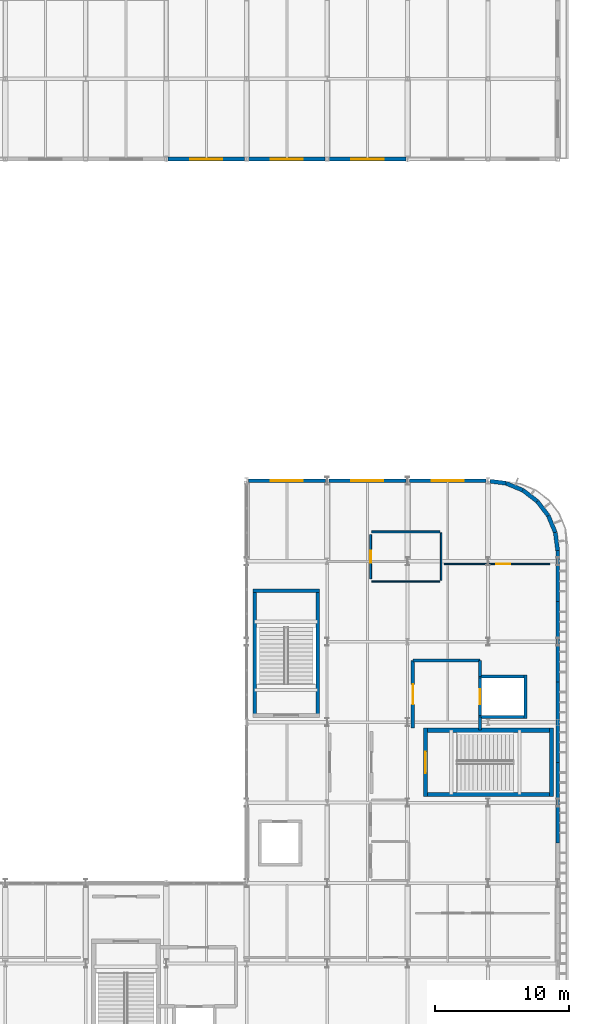
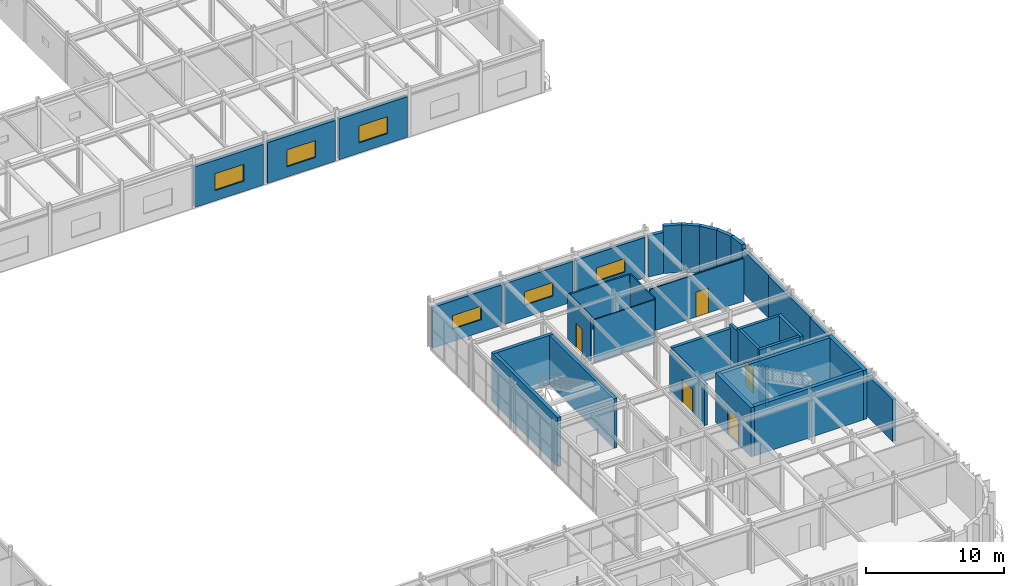
# One storey, part 71 of 96: 36 walls, 6 windows, 5 doors, 11 openings.
"""IFC4 building model written with IfcOpenShell, lengths in metres."""

from ifc_helpers import new_model, si_unit, direction, frame, frame_2d, origin, place, context, subcontext, project, spatial, rectangle, extrude, material, layer, layer_set, type_object, element, fill, save


model = new_model("IFC4")

# Units and contexts
model_context = context("Model", 3, precision=1e-05, world=origin(), true_north=direction((0.0, 1.0)))
body_context = subcontext(model_context, "Body", "Model", "MODEL_VIEW")
ifc_project = project(units=[si_unit("LENGTHUNIT", "METRE"), si_unit("AREAUNIT", "SQUARE_METRE"), si_unit("VOLUMEUNIT", "CUBIC_METRE"), si_unit("PLANEANGLEUNIT", "RADIAN"), si_unit("MASSUNIT", "GRAM", prefix="KILO")], contexts=[model_context])

# Site, building, storey
site_placement = place(None, origin())
site = spatial("IfcSite", under=ifc_project, at=site_placement, CompositionType="ELEMENT")
building_placement = place(site_placement, origin())
building = spatial("IfcBuilding", under=site, at=building_placement, Name="Varnakota Square Police Headquarters", CompositionType="ELEMENT")
storey_placement = place(building_placement, frame((0.0, 0.0, 4.800048828125)))
storey = spatial("IfcBuildingStorey", under=building, at=storey_placement, Name="L01", CompositionType="ELEMENT", Elevation=4.800048828125)

# Walls
ifc_material_1 = material(Name="Concrete M40", Category="concrete")
ifc_layer_1 = layer(ifc_material_1, 0.22998046875, Name="Concrete M40")
ifc_layer_set_1 = layer_set([ifc_layer_1], Name="Concrete M40")
wall_type_1 = type_object("IfcWallType", Name="WL-CORE-230", PredefinedType="SHEAR", material=ifc_layer_set_1)
wall_1_placement = place(storey_placement, frame((155.284912109375, 27.39990234375, 0.0), z_axis=(0.0, 0.0, 1.0), x_axis=(1.0, 0.0, 0.0)))
element("IfcWall", 1, at=wall_1_placement, inside=storey, type_object=wall_type_1, Name="Lift shaft wall LF-FF2 L01 S", PredefinedType="SHEAR", context=body_context, shape_type="SweptSolid", body=[
    extrude(rectangle(XDim=3.630126953125, YDim=0.22998046875, at=frame_2d((1.81494140625, 0.0))), origin(), (0.0, 0.0, 1.0), 4.5),
])
wall_2_placement = place(storey_placement, frame((158.800048828125, 27.284912109375, 0.0), z_axis=(0.0, 0.0, 1.0), x_axis=(0.0, 1.0, 0.0)))
element("IfcWall", 2, at=wall_2_placement, inside=storey, type_object=wall_type_1, Name="Lift shaft wall LF-FF2 L01 E", PredefinedType="SHEAR", context=body_context, shape_type="SweptSolid", body=[
    extrude(rectangle(XDim=3.22998046875, YDim=0.22998046875, at=frame_2d((1.614990234375, 0.0))), origin(), (0.0, 0.0, 1.0), 4.5),
])
wall_3_placement = place(storey_placement, frame((158.9150390625, 30.39990234375, 0.0), z_axis=(0.0, 0.0, 1.0), x_axis=(-1.0, 0.0, 0.0)))
element("IfcWall", 3, at=wall_3_placement, inside=storey, type_object=wall_type_1, Name="Lift shaft wall LF-FF2 L01 N", PredefinedType="SHEAR", context=body_context, shape_type="SweptSolid", body=[
    extrude(rectangle(XDim=3.630126953125, YDim=0.22998046875, at=frame_2d((1.81494140625, 0.0))), origin(), (0.0, 0.0, 1.0), 4.5),
])

# Wall, opening, door
wall_4_placement = place(storey_placement, frame((155.39990234375, 30.514892578125, 0.0), z_axis=(0.0, 0.0, 1.0), x_axis=(0.0, -1.0, 0.0)))
wall_4 = element("IfcWall", 4, at=wall_4_placement, inside=storey, type_object=wall_type_1, Name="Lift shaft wall LF-FF2 L01 W", PredefinedType="SHEAR", context=body_context, shape_type="SweptSolid", body=[
    extrude(rectangle(XDim=3.22998046875, YDim=0.22998046875, at=frame_2d((1.614990234375, 0.0))), origin(), (0.0, 0.0, 1.0), 4.5),
])
opening_1_placement = place(wall_4_placement, frame((1.06494140625, 0.0, 0.0)))
opening_1 = element("IfcOpeningElement", 5, at=opening_1_placement, cuts=wall_4, Name="Opening LD010", PredefinedType="OPENING", context=body_context, shape_type="SweptSolid", body=[
    extrude(rectangle(XDim=1.10009765625, YDim=2.199951171875, at=frame_2d((0.550048828125, 1.10009765625))), frame((0.0, 0.125, 0.0), z_axis=(0.0, -1.0, 0.0), x_axis=(1.0, 0.0, 0.0)), (0.0, 0.0, 1.0), 0.25),
])
ifc_material_2 = material(Name="Brushed Grade 316 Stainless Steel", Category="steel")
door_type_1 = type_object("IfcDoorType", Name="DR-LD-FF", OperationType="NOTDEFINED", PredefinedType="DOOR", material=ifc_material_2)
door_1_placement = place(opening_1_placement, origin())
door_1 = element("IfcDoor", 6, at=door_1_placement, inside=storey, type_object=door_type_1, Name="Lift sliding landing door LD010", OperationType="SLIDING_TO_LEFT", OverallHeight=2.199951171875, OverallWidth=1.10009765625, PredefinedType="DOOR", context=body_context, shape_type="SweptSolid", body=[
    extrude(rectangle(XDim=1.10009765625, YDim=2.199951171875, at=frame_2d((0.550048828125, 1.10009765625))), frame((0.0, 0.02490234375, 0.0), z_axis=(0.0, -1.0, 0.0), x_axis=(1.0, 0.0, 0.0)), (0.0, 0.0, 1.0), 0.050048828125),
])
fill(opening_1, door_1)

# Walls
ifc_material_3 = material(Name="Concrete M50", Category="concrete")
ifc_layer_2 = layer(ifc_material_3, 0.27001953125, Name="Concrete M50")
ifc_layer_set_2 = layer_set([ifc_layer_2], Name="Concrete M50")
wall_type_2 = type_object("IfcWallType", Name="WL-CORE-270", PredefinedType="SHEAR", material=ifc_layer_set_2)
wall_5_placement = place(storey_placement, frame((143.300048828125, 27.364990234375, 0.0), z_axis=(0.0, 0.0, 1.0), x_axis=(0.0, 1.0, 0.0)))
element("IfcWall", 7, at=wall_5_placement, inside=storey, type_object=wall_type_2, Name="Core C3 shear wall L01 E", PredefinedType="SHEAR", context=body_context, shape_type="SweptSolid", body=[
    extrude(rectangle(XDim=9.570068359375, YDim=0.27001953125, at=frame_2d((4.78515625, 0.0))), origin(), (0.0, 0.0, 1.0), 4.35986328125),
])
wall_6_placement = place(storey_placement, frame((143.43505859375, 36.800048828125, 0.0), z_axis=(0.0, 0.0, 1.0), x_axis=(-1.0, 0.0, 0.0)))
element("IfcWall", 8, at=wall_6_placement, inside=storey, type_object=wall_type_2, Name="Core C3 shear wall L01 N", PredefinedType="SHEAR", context=body_context, shape_type="SweptSolid", body=[
    extrude(rectangle(XDim=4.969970703125, YDim=0.27001953125, at=frame_2d((2.48486328125, 0.0))), origin(), (0.0, 0.0, 1.0), 4.35986328125),
])
wall_7_placement = place(storey_placement, frame((138.60009765625, 36.93505859375, 0.0), z_axis=(0.0, 0.0, 1.0), x_axis=(0.0, -1.0, 0.0)))
element("IfcWall", 9, at=wall_7_placement, inside=storey, type_object=wall_type_2, Name="Core C3 shear wall L01 W", PredefinedType="SHEAR", context=body_context, shape_type="SweptSolid", body=[
    extrude(rectangle(XDim=9.570068359375, YDim=0.27001953125, at=frame_2d((4.78515625, 0.0))), origin(), (0.0, 0.0, 1.0), 4.35986328125),
])
ifc_layer_3 = layer(ifc_material_3, 0.31005859375, Name="Concrete M50")
ifc_layer_set_3 = layer_set([ifc_layer_3], Name="Concrete M50")
wall_type_3 = type_object("IfcWallType", Name="WL-CORE-310", PredefinedType="SHEAR", material=ifc_layer_set_3)
wall_8_placement = place(storey_placement, frame((151.195068359375, 21.60009765625, 0.0), z_axis=(0.0, 0.0, 1.0), x_axis=(1.0, 0.0, 0.0)))
element("IfcWall", 10, at=wall_8_placement, inside=storey, type_object=wall_type_3, Name="Core C2 shear wall L01 S", PredefinedType="SHEAR", context=body_context, shape_type="SweptSolid", body=[
    extrude(rectangle(XDim=9.7099609375, YDim=0.31005859375, at=frame_2d((4.85498046875, 0.0))), origin(), (0.0, 0.0, 1.0), 4.35986328125),
])
wall_9_placement = place(storey_placement, frame((160.75, 21.445068359375, 0.0), z_axis=(0.0, 0.0, 1.0), x_axis=(0.0, 1.0, 0.0)))
element("IfcWall", 11, at=wall_9_placement, inside=storey, type_object=wall_type_3, Name="Core C2 shear wall L01 E", PredefinedType="SHEAR", context=body_context, shape_type="SweptSolid", body=[
    extrude(rectangle(XDim=5.10986328125, YDim=0.31005859375, at=frame_2d((2.554931640625, 0.0))), origin(), (0.0, 0.0, 1.0), 4.35986328125),
])
wall_10_placement = place(storey_placement, frame((160.905029296875, 26.39990234375, 0.0), z_axis=(0.0, 0.0, 1.0), x_axis=(-1.0, 0.0, 0.0)))
element("IfcWall", 12, at=wall_10_placement, inside=storey, type_object=wall_type_3, Name="Core C2 shear wall L01 N", PredefinedType="SHEAR", context=body_context, shape_type="SweptSolid", body=[
    extrude(rectangle(XDim=9.7099609375, YDim=0.31005859375, at=frame_2d((4.85498046875, 0.0))), origin(), (0.0, 0.0, 1.0), 4.35986328125),
])

# Wall, opening, door
wall_11_placement = place(storey_placement, frame((151.35009765625, 26.554931640625, 0.0), z_axis=(0.0, 0.0, 1.0), x_axis=(0.0, -1.0, 0.0)))
wall_11 = element("IfcWall", 13, at=wall_11_placement, inside=storey, type_object=wall_type_3, Name="Core C2 shear wall L01 W", PredefinedType="SHEAR", context=body_context, shape_type="SweptSolid", body=[
    extrude(rectangle(XDim=5.10986328125, YDim=0.31005859375, at=frame_2d((2.554931640625, 0.0))), origin(), (0.0, 0.0, 1.0), 4.35986328125),
])
opening_2_placement = place(wall_11_placement, frame((1.7548828125, 0.0, 0.0)))
opening_2 = element("IfcOpeningElement", 14, at=opening_2_placement, cuts=wall_11, Name="Opening SD026", PredefinedType="OPENING", context=body_context, shape_type="SweptSolid", body=[
    extrude(rectangle(XDim=1.60009765625, YDim=2.199951171875, at=frame_2d((0.800048828125, 1.10009765625))), frame((0.0, 0.1650390625, 0.0), z_axis=(0.0, -1.0, 0.0), x_axis=(1.0, 0.0, 0.0)), (0.0, 0.0, 1.0), 0.330078125),
])
ifc_material_4 = material(Name="Powder-Coated Galvanised Steel", Category="steel")
door_type_2 = type_object("IfcDoorType", Name="DR-ST-160", OperationType="NOTDEFINED", PredefinedType="DOOR", material=ifc_material_4)
door_2_placement = place(opening_2_placement, origin())
door_2 = element("IfcDoor", 15, at=door_2_placement, inside=storey, type_object=door_type_2, Name="Protected stair door SD026", OperationType="DOUBLE_DOOR_SINGLE_SWING", OverallHeight=2.199951171875, OverallWidth=1.60009765625, PredefinedType="DOOR", context=body_context, shape_type="SweptSolid", body=[
    extrude(rectangle(XDim=1.60009765625, YDim=2.199951171875, at=frame_2d((0.800048828125, 1.10009765625))), frame((0.0, 0.02490234375, 0.0), z_axis=(0.0, -1.0, 0.0), x_axis=(1.0, 0.0, 0.0)), (0.0, 0.0, 1.0), 0.050048828125),
])
fill(opening_2, door_2)

# Walls
ifc_layer_4 = layer(ifc_material_1, 0.260009765625, Name="Concrete M40")
ifc_layer_set_4 = layer_set([ifc_layer_4], Name="Concrete M40")
wall_type_4 = type_object("IfcWallType", Name="WL-EXT-260", PredefinedType="SOLIDWALL", material=ifc_layer_set_4)
wall_12_placement = place(storey_placement, frame((161.199951171875, 24.0, 0.0), z_axis=(0.0, 0.0, 1.0), x_axis=(0.0, 1.0, 0.0)))
element("IfcWall", 16, at=wall_12_placement, inside=storey, type_object=wall_type_4, Name="Exterior wall EW-L01-0148", PredefinedType="SOLIDWALL", context=body_context, shape_type="SweptSolid", body=[
    extrude(rectangle(XDim=6.0, YDim=0.260009765625, at=frame_2d((3.0, 0.0))), origin(), (0.0, 0.0, 1.0), 3.68994140625),
])
wall_13_placement = place(storey_placement, frame((161.199951171875, 36.0, 0.0), z_axis=(0.0, 0.0, 1.0), x_axis=(0.0, 1.0, 0.0)))
element("IfcWall", 17, at=wall_13_placement, inside=storey, type_object=wall_type_4, Name="Exterior wall EW-L01-0150", PredefinedType="SOLIDWALL", context=body_context, shape_type="SweptSolid", body=[
    extrude(rectangle(XDim=3.800048828125, YDim=0.260009765625, at=frame_2d((1.89990234375, 0.0))), origin(), (0.0, 0.0, 1.0), 3.7900390625),
])

# Wall, opening, window
wall_14_placement = place(storey_placement, frame((138.12890625, 45.0, 0.0), z_axis=(0.0, 0.0, 1.0), x_axis=(1.0, 0.0, 0.0)))
wall_14 = element("IfcWall", 18, at=wall_14_placement, inside=storey, type_object=wall_type_4, Name="Exterior wall EW-L01-0155", PredefinedType="SOLIDWALL", context=body_context, shape_type="SweptSolid", body=[
    extrude(rectangle(XDim=5.7421875, YDim=0.260009765625, at=frame_2d((2.87109375, 0.0))), origin(), (0.0, 0.0, 1.0), 3.58984375),
])
opening_3_placement = place(wall_14_placement, frame((1.6708984375, 0.0, 1.10009765625)))
opening_3 = element("IfcOpeningElement", 19, at=opening_3_placement, cuts=wall_14, Name="Opening W06", PredefinedType="OPENING", context=body_context, shape_type="SweptSolid", body=[
    extrude(rectangle(XDim=2.39990234375, YDim=1.199951171875, at=frame_2d((1.199951171875, 0.60009765625))), frame((0.0, 0.139892578125, 0.0), z_axis=(0.0, -1.0, 0.0), x_axis=(1.0, 0.0, 0.0)), (0.0, 0.0, 1.0), 0.280029296875),
])
ifc_material_5 = material(Name="Thermally Broken Aluminium Double-Glazed Window", Category="aluminium")
window_type_1 = type_object("IfcWindowType", Name="WIN-06", PartitioningType="SINGLE_PANEL", PredefinedType="WINDOW", material=ifc_material_5)
window_1_placement = place(opening_3_placement, origin())
window_1 = element("IfcWindow", 20, at=window_1_placement, inside=storey, type_object=window_type_1, Name="Window WN-L01-0023", OverallHeight=1.199951171875, OverallWidth=2.39990234375, PartitioningType="SINGLE_PANEL", PredefinedType="WINDOW", context=body_context, shape_type="SweptSolid", body=[
    extrude(rectangle(XDim=2.39990234375, YDim=1.199951171875, at=frame_2d((1.199951171875, 0.60009765625))), frame((0.0, 0.030029296875, 0.0), z_axis=(0.0, -1.0, 0.0), x_axis=(1.0, 0.0, 0.0)), (0.0, 0.0, 1.0), 0.06005859375),
])
fill(opening_3, window_1)

wall_15_placement = place(storey_placement, frame((144.12890625, 45.0, 0.0), z_axis=(0.0, 0.0, 1.0), x_axis=(1.0, 0.0, 0.0)))
wall_15 = element("IfcWall", 21, at=wall_15_placement, inside=storey, type_object=wall_type_4, Name="Exterior wall EW-L01-0156", PredefinedType="SOLIDWALL", context=body_context, shape_type="SweptSolid", body=[
    extrude(rectangle(XDim=5.7421875, YDim=0.260009765625, at=frame_2d((2.87109375, 0.0))), origin(), (0.0, 0.0, 1.0), 3.58984375),
])
opening_4_placement = place(wall_15_placement, frame((1.6708984375, 0.0, 1.10009765625)))
opening_4 = element("IfcOpeningElement", 22, at=opening_4_placement, cuts=wall_15, Name="Opening W06", PredefinedType="OPENING", context=body_context, shape_type="SweptSolid", body=[
    extrude(rectangle(XDim=2.39990234375, YDim=1.199951171875, at=frame_2d((1.199951171875, 0.60009765625))), frame((0.0, 0.139892578125, 0.0), z_axis=(0.0, -1.0, 0.0), x_axis=(1.0, 0.0, 0.0)), (0.0, 0.0, 1.0), 0.280029296875),
])
window_2_placement = place(opening_4_placement, origin())
window_2 = element("IfcWindow", 23, at=window_2_placement, inside=storey, type_object=window_type_1, Name="Window WN-L01-0024", OverallHeight=1.199951171875, OverallWidth=2.39990234375, PartitioningType="SINGLE_PANEL", PredefinedType="WINDOW", context=body_context, shape_type="SweptSolid", body=[
    extrude(rectangle(XDim=2.39990234375, YDim=1.199951171875, at=frame_2d((1.199951171875, 0.60009765625))), frame((0.0, 0.030029296875, 0.0), z_axis=(0.0, -1.0, 0.0), x_axis=(1.0, 0.0, 0.0)), (0.0, 0.0, 1.0), 0.06005859375),
])
fill(opening_4, window_2)

wall_16_placement = place(storey_placement, frame((150.12890625, 45.0, 0.0), z_axis=(0.0, 0.0, 1.0), x_axis=(1.0, 0.0, 0.0)))
wall_16 = element("IfcWall", 24, at=wall_16_placement, inside=storey, type_object=wall_type_4, Name="Exterior wall EW-L01-0157", PredefinedType="SOLIDWALL", context=body_context, shape_type="SweptSolid", body=[
    extrude(rectangle(XDim=5.7421875, YDim=0.260009765625, at=frame_2d((2.87109375, 0.0))), origin(), (0.0, 0.0, 1.0), 3.58984375),
])
opening_5_placement = place(wall_16_placement, frame((1.6708984375, 0.0, 1.10009765625)))
opening_5 = element("IfcOpeningElement", 25, at=opening_5_placement, cuts=wall_16, Name="Opening W06", PredefinedType="OPENING", context=body_context, shape_type="SweptSolid", body=[
    extrude(rectangle(XDim=2.39990234375, YDim=1.199951171875, at=frame_2d((1.199951171875, 0.60009765625))), frame((0.0, 0.139892578125, 0.0), z_axis=(0.0, -1.0, 0.0), x_axis=(1.0, 0.0, 0.0)), (0.0, 0.0, 1.0), 0.280029296875),
])
window_3_placement = place(opening_5_placement, origin())
window_3 = element("IfcWindow", 26, at=window_3_placement, inside=storey, type_object=window_type_1, Name="Window WN-L01-0025", OverallHeight=1.199951171875, OverallWidth=2.39990234375, PartitioningType="SINGLE_PANEL", PredefinedType="WINDOW", context=body_context, shape_type="SweptSolid", body=[
    extrude(rectangle(XDim=2.39990234375, YDim=1.199951171875, at=frame_2d((1.199951171875, 0.60009765625))), frame((0.0, 0.030029296875, 0.0), z_axis=(0.0, -1.0, 0.0), x_axis=(1.0, 0.0, 0.0)), (0.0, 0.0, 1.0), 0.06005859375),
])
fill(opening_5, window_3)

# Walls
ifc_layer_5 = layer(ifc_material_1, 0.280029296875, Name="Concrete M40")
ifc_layer_set_5 = layer_set([ifc_layer_5], Name="Concrete M40")
wall_type_5 = type_object("IfcWallType", Name="WL-EXT-280", PredefinedType="SOLIDWALL", material=ifc_layer_set_5)
wall_17_placement = place(storey_placement, frame((161.199951171875, 18.0, 0.0), z_axis=(0.0, 0.0, 1.0), x_axis=(0.0, 1.0, 0.0)))
element("IfcWall", 27, at=wall_17_placement, inside=storey, type_object=wall_type_5, Name="Exterior wall EW-L01-0147", PredefinedType="SOLIDWALL", context=body_context, shape_type="SweptSolid", body=[
    extrude(rectangle(XDim=6.0, YDim=0.280029296875, at=frame_2d((3.0, 0.0))), origin(), (0.0, 0.0, 1.0), 3.68994140625),
])
wall_18_placement = place(storey_placement, frame((161.199951171875, 30.0, 0.0), z_axis=(0.0, 0.0, 1.0), x_axis=(0.0, 1.0, 0.0)))
element("IfcWall", 28, at=wall_18_placement, inside=storey, type_object=wall_type_5, Name="Exterior wall EW-L01-0149", PredefinedType="SOLIDWALL", context=body_context, shape_type="SweptSolid", body=[
    extrude(rectangle(XDim=6.0, YDim=0.280029296875, at=frame_2d((3.0, 0.0))), origin(), (0.0, 0.0, 1.0), 3.739990234375),
])
ifc_material_6 = material(Name="Precast concrete M40", Category="concrete")
ifc_layer_6 = layer(ifc_material_6, 0.300048828125, Name="Precast concrete M40")
ifc_layer_set_6 = layer_set([ifc_layer_6], Name="Precast concrete M40")
wall_type_6 = type_object("IfcWallType", Name="WL-EXT-300", PredefinedType="SOLIDWALL", material=ifc_layer_set_6)
wall_19_placement = place(storey_placement, frame((161.199951171875, 39.800048828125, 0.0), z_axis=(0.0, 0.0, 1.0), x_axis=(-0.130561507967, 0.991440211328, 0.0)))
element("IfcWall", 29, at=wall_19_placement, inside=storey, type_object=wall_type_6, Name="Exterior wall EW-L01-0170", PredefinedType="SOLIDWALL", context=body_context, shape_type="SweptSolid", body=[
    extrude(rectangle(XDim=1.357666015625, YDim=0.300048828125, at=frame_2d((0.6787109375, 0.0))), origin(), (0.0, 0.0, 1.0), 4.195068359375),
])
wall_20_placement = place(storey_placement, frame((161.022705078125, 41.14599609375, 0.0), z_axis=(0.0, 0.0, 1.0), x_axis=(-0.382621882407, 0.923905024937, 0.0)))
element("IfcWall", 30, at=wall_20_placement, inside=storey, type_object=wall_type_6, Name="Exterior wall EW-L01-0171", PredefinedType="SOLIDWALL", context=body_context, shape_type="SweptSolid", body=[
    extrude(rectangle(XDim=1.357177734375, YDim=0.300048828125, at=frame_2d((0.6787109375, 0.0))), origin(), (0.0, 0.0, 1.0), 4.195068359375),
])
wall_21_placement = place(storey_placement, frame((160.50341796875, 42.39990234375, 0.0), z_axis=(0.0, 0.0, 1.0), x_axis=(-0.60871087169, 0.793392131727, 0.0)))
element("IfcWall", 31, at=wall_21_placement, inside=storey, type_object=wall_type_6, Name="Exterior wall EW-L01-0172", PredefinedType="SOLIDWALL", context=body_context, shape_type="SweptSolid", body=[
    extrude(rectangle(XDim=1.357666015625, YDim=0.300048828125, at=frame_2d((0.6787109375, 0.0))), origin(), (0.0, 0.0, 1.0), 4.195068359375),
])
for number, where, z_axis, x_axis, name in (
    (32, (159.677001953125, 43.47705078125, 0.0), (0.0, 0.0, 1.0), (-0.793412351971, 0.608684515772, 0.0), "Exterior wall EW-L01-0173"),
    (33, (158.60009765625, 44.30322265625, 0.0), (0.0, 0.0, 1.0), (-0.92386777328, 0.382711820428, 0.0), "Exterior wall EW-L01-0174"),
):
    element("IfcWall", number, at=place(storey_placement, frame(where, z_axis=z_axis, x_axis=x_axis)), inside=storey, type_object=wall_type_6, Name=name, PredefinedType="SOLIDWALL", context=body_context, shape_type="SweptSolid", body=[
        extrude(rectangle(XDim=1.357421875, YDim=0.300048828125, at=frame_2d((0.6787109375, 0.0))), origin(), (0.0, 0.0, 1.0), 4.195068359375),
    ])
wall_22_placement = place(storey_placement, frame((157.345947265625, 44.82275390625, 0.0), z_axis=(0.0, 0.0, 1.0), x_axis=(-0.991436284929, 0.130591320255, 0.0)))
element("IfcWall", 34, at=wall_22_placement, inside=storey, type_object=wall_type_6, Name="Exterior wall EW-L01-0175", PredefinedType="SOLIDWALL", context=body_context, shape_type="SweptSolid", body=[
    extrude(rectangle(XDim=1.2001953125, YDim=0.300048828125, at=frame_2d((0.60009765625, 0.0))), origin(), (0.0, 0.0, 1.0), 3.639892578125),
])

# Wall, opening, window
wall_23_placement = place(storey_placement, frame((132.12890625, 69.0, 0.0), z_axis=(0.0, 0.0, 1.0), x_axis=(1.0, 0.0, 0.0)))
wall_23 = element("IfcWall", 35, at=wall_23_placement, inside=storey, type_object=wall_type_6, Name="Exterior wall EW-L01-0704", PredefinedType="SOLIDWALL", context=body_context, shape_type="SweptSolid", body=[
    extrude(rectangle(XDim=5.717041015625, YDim=0.300048828125, at=frame_2d((2.8583984375, 0.0))), origin(), (0.0, 0.0, 1.0), 3.58984375),
])
opening_6_placement = place(wall_23_placement, frame((1.658447265625, 0.0, 0.89990234375)))
opening_6 = element("IfcOpeningElement", 36, at=opening_6_placement, cuts=wall_23, Name="Opening W02", PredefinedType="OPENING", context=body_context, shape_type="SweptSolid", body=[
    extrude(rectangle(XDim=2.39990234375, YDim=1.5, at=frame_2d((1.199951171875, 0.75))), frame((0.0, 0.159912109375, 0.0), z_axis=(0.0, -1.0, 0.0), x_axis=(1.0, 0.0, 0.0)), (0.0, 0.0, 1.0), 0.320068359375),
])
window_type_2 = type_object("IfcWindowType", Name="WIN-02", PartitioningType="SINGLE_PANEL", PredefinedType="WINDOW", material=ifc_material_5)
window_4_placement = place(opening_6_placement, origin())
window_4 = element("IfcWindow", 37, at=window_4_placement, inside=storey, type_object=window_type_2, Name="Window WN-L01-0207", OverallHeight=1.5, OverallWidth=2.39990234375, PartitioningType="SINGLE_PANEL", PredefinedType="WINDOW", context=body_context, shape_type="SweptSolid", body=[
    extrude(rectangle(XDim=2.39990234375, YDim=1.5, at=frame_2d((1.199951171875, 0.75))), frame((0.0, 0.030029296875, 0.0), z_axis=(0.0, -1.0, 0.0), x_axis=(1.0, 0.0, 0.0)), (0.0, 0.0, 1.0), 0.06005859375),
])
fill(opening_6, window_4)

wall_24_placement = place(storey_placement, frame((138.154052734375, 69.0, 0.0), z_axis=(0.0, 0.0, 1.0), x_axis=(1.0, 0.0, 0.0)))
wall_24 = element("IfcWall", 38, at=wall_24_placement, inside=storey, type_object=wall_type_6, Name="Exterior wall EW-L01-0705", PredefinedType="SOLIDWALL", context=body_context, shape_type="SweptSolid", body=[
    extrude(rectangle(XDim=5.69189453125, YDim=0.300048828125, at=frame_2d((2.845947265625, 0.0))), origin(), (0.0, 0.0, 1.0), 3.58984375),
])
opening_7_placement = place(wall_24_placement, frame((1.64599609375, 0.0, 0.89990234375)))
opening_7 = element("IfcOpeningElement", 39, at=opening_7_placement, cuts=wall_24, Name="Opening W02", PredefinedType="OPENING", context=body_context, shape_type="SweptSolid", body=[
    extrude(rectangle(XDim=2.39990234375, YDim=1.5, at=frame_2d((1.199951171875, 0.75))), frame((0.0, 0.159912109375, 0.0), z_axis=(0.0, -1.0, 0.0), x_axis=(1.0, 0.0, 0.0)), (0.0, 0.0, 1.0), 0.320068359375),
])
window_5_placement = place(opening_7_placement, origin())
window_5 = element("IfcWindow", 40, at=window_5_placement, inside=storey, type_object=window_type_2, Name="Window WN-L01-0208", OverallHeight=1.5, OverallWidth=2.39990234375, PartitioningType="SINGLE_PANEL", PredefinedType="WINDOW", context=body_context, shape_type="SweptSolid", body=[
    extrude(rectangle(XDim=2.39990234375, YDim=1.5, at=frame_2d((1.199951171875, 0.75))), frame((0.0, 0.030029296875, 0.0), z_axis=(0.0, -1.0, 0.0), x_axis=(1.0, 0.0, 0.0)), (0.0, 0.0, 1.0), 0.06005859375),
])
fill(opening_7, window_5)

wall_25_placement = place(storey_placement, frame((144.154052734375, 69.0, 0.0), z_axis=(0.0, 0.0, 1.0), x_axis=(1.0, 0.0, 0.0)))
wall_25 = element("IfcWall", 41, at=wall_25_placement, inside=storey, type_object=wall_type_6, Name="Exterior wall EW-L01-0706", PredefinedType="SOLIDWALL", context=body_context, shape_type="SweptSolid", body=[
    extrude(rectangle(XDim=5.717041015625, YDim=0.300048828125, at=frame_2d((2.8583984375, 0.0))), origin(), (0.0, 0.0, 1.0), 3.58984375),
])
opening_8_placement = place(wall_25_placement, frame((1.658447265625, 0.0, 0.89990234375)))
opening_8 = element("IfcOpeningElement", 42, at=opening_8_placement, cuts=wall_25, Name="Opening W02", PredefinedType="OPENING", context=body_context, shape_type="SweptSolid", body=[
    extrude(rectangle(XDim=2.39990234375, YDim=1.5, at=frame_2d((1.199951171875, 0.75))), frame((0.0, 0.159912109375, 0.0), z_axis=(0.0, -1.0, 0.0), x_axis=(1.0, 0.0, 0.0)), (0.0, 0.0, 1.0), 0.320068359375),
])
window_6_placement = place(opening_8_placement, origin())
window_6 = element("IfcWindow", 43, at=window_6_placement, inside=storey, type_object=window_type_2, Name="Window WN-L01-0209", OverallHeight=1.5, OverallWidth=2.39990234375, PartitioningType="SINGLE_PANEL", PredefinedType="WINDOW", context=body_context, shape_type="SweptSolid", body=[
    extrude(rectangle(XDim=2.39990234375, YDim=1.5, at=frame_2d((1.199951171875, 0.75))), frame((0.0, 0.030029296875, 0.0), z_axis=(0.0, -1.0, 0.0), x_axis=(1.0, 0.0, 0.0)), (0.0, 0.0, 1.0), 0.06005859375),
])
fill(opening_8, window_6)

# Wall, opening, door
ifc_material_7 = material(Name="Lightweight Demountable Office Partition", Category="gypsum")
ifc_layer_7 = layer(ifc_material_7, 0.094970703125, Name="Lightweight Demountable Office Partition")
ifc_layer_set_7 = layer_set([ifc_layer_7], Name="Lightweight Demountable Office Partition")
wall_type_7 = type_object("IfcWallType", Name="WL-PRT-095", PredefinedType="PARTITIONING", material=ifc_layer_set_7)
wall_26_placement = place(storey_placement, frame((160.60009765625, 38.800048828125, 0.0), z_axis=(0.0, 0.0, 1.0), x_axis=(-1.0, 0.0, 0.0)))
wall_26 = element("IfcWall", 44, at=wall_26_placement, inside=storey, type_object=wall_type_7, Name="Interior partition PW-L01-0098 (Traffic Analytics Division)", PredefinedType="PARTITIONING", context=body_context, shape_type="SweptSolid", body=[
    extrude(rectangle(XDim=7.85009765625, YDim=0.094970703125, at=frame_2d((3.925048828125, 0.0))), origin(), (0.0, 0.0, 1.0), 3.783447265625),
])
opening_9_placement = place(wall_26_placement, frame((2.949951171875, 0.0, 0.0)))
opening_9 = element("IfcOpeningElement", 45, at=opening_9_placement, cuts=wall_26, Name="Opening D204", PredefinedType="OPENING", context=body_context, shape_type="SweptSolid", body=[
    extrude(rectangle(XDim=1.050048828125, YDim=2.199951171875, at=frame_2d((0.52490234375, 1.10009765625))), frame((0.0, 0.057373046875, 0.0), z_axis=(0.0, -1.0, 0.0), x_axis=(1.0, 0.0, 0.0)), (0.0, 0.0, 1.0), 0.114990234375),
])
ifc_material_8 = material(Name="Anodised Aluminium and Laminated Acoustic Glass", Category="aluminium")
door_type_3 = type_object("IfcDoorType", Name="DR-OFF-105", OperationType="NOTDEFINED", PredefinedType="DOOR", material=ifc_material_8)
door_3_placement = place(opening_9_placement, origin())
door_3 = element("IfcDoor", 46, at=door_3_placement, inside=storey, type_object=door_type_3, Name="Room door D204 (Traffic Analytics Division)", OperationType="SINGLE_SWING_LEFT", OverallHeight=2.199951171875, OverallWidth=1.050048828125, PredefinedType="DOOR", context=body_context, shape_type="SweptSolid", body=[
    extrude(rectangle(XDim=1.050048828125, YDim=2.199951171875, at=frame_2d((0.52490234375, 1.10009765625))), frame((0.0, 0.02490234375, 0.0), z_axis=(0.0, -1.0, 0.0), x_axis=(1.0, 0.0, 0.0)), (0.0, 0.0, 1.0), 0.050048828125),
])
fill(opening_9, door_3)

# Walls
wall_27_placement = place(storey_placement, frame((152.419921875, 37.5, 0.0), z_axis=(0.0, 0.0, 1.0), x_axis=(-1.0, 0.0, 0.0)))
element("IfcWall", 47, at=wall_27_placement, inside=storey, type_object=wall_type_7, Name="Interior dividing partition PW-L01-0113 (L01 Operations Women Washroom WC)", PredefinedType="PARTITIONING", context=body_context, shape_type="SweptSolid", body=[
    extrude(rectangle(XDim=5.08984375, YDim=0.094970703125, at=frame_2d((2.544921875, 0.0))), origin(), (0.0, 0.0, 1.0), 3.7900390625),
])
ifc_material_9 = material(Name="Glazed Clean-Lab Modular Partition", Category="gypsum")
ifc_layer_8 = layer(ifc_material_9, 0.10498046875, Name="Glazed Clean-Lab Modular Partition")
ifc_layer_set_8 = layer_set([ifc_layer_8], Name="Glazed Clean-Lab Modular Partition")
wall_type_8 = type_object("IfcWallType", Name="WL-PRT-105", PredefinedType="PARTITIONING", material=ifc_layer_set_8)
wall_28_placement = place(storey_placement, frame((152.5, 41.1201171875, 0.0), z_axis=(0.0, 0.0, 1.0), x_axis=(0.0, -1.0, 0.0)))
element("IfcWall", 48, at=wall_28_placement, inside=storey, type_object=wall_type_8, Name="Interior dividing partition PW-L01-0112 (L01 Operations Women Washroom WC)", PredefinedType="PARTITIONING", context=body_context, shape_type="SweptSolid", body=[
    extrude(rectangle(XDim=3.5400390625, YDim=0.10498046875, at=frame_2d((1.77001953125, 0.0))), origin(), (0.0, 0.0, 1.0), 3.83984375),
])

# Wall, opening, door
ifc_material_10 = material(Name="Acoustic Insulated Metal-Stud Partition", Category="gypsum")
ifc_layer_9 = layer(ifc_material_10, 0.139892578125, Name="Acoustic Insulated Metal-Stud Partition")
ifc_layer_set_9 = layer_set([ifc_layer_9], Name="Acoustic Insulated Metal-Stud Partition")
wall_type_9 = type_object("IfcWallType", Name="WL-PRT-140", PredefinedType="PARTITIONING", material=ifc_layer_set_9)
wall_29_placement = place(storey_placement, frame((147.25, 37.699951171875, 0.0), z_axis=(0.0, 0.0, 1.0), x_axis=(0.0, 1.0, 0.0)))
wall_29 = element("IfcWall", 49, at=wall_29_placement, inside=storey, type_object=wall_type_9, Name="Interior partition PW-L01-0084 (L01 Operations Women Washroom WC)", PredefinedType="PARTITIONING", context=body_context, shape_type="SweptSolid", body=[
    extrude(rectangle(XDim=3.300048828125, YDim=0.139892578125, at=frame_2d((1.64990234375, 0.0))), origin(), (0.0, 0.0, 1.0), 3.93994140625),
])
opening_10_placement = place(wall_29_placement, frame((1.199951171875, 0.0, 0.0)))
opening_10 = element("IfcOpeningElement", 50, at=opening_10_placement, cuts=wall_29, Name="Opening D190", PredefinedType="OPENING", context=body_context, shape_type="SweptSolid", body=[
    extrude(rectangle(XDim=0.89990234375, YDim=2.10009765625, at=frame_2d((0.449951171875, 1.050048828125))), frame((0.0, 0.079833984375, 0.0), z_axis=(0.0, -1.0, 0.0), x_axis=(1.0, 0.0, 0.0)), (0.0, 0.0, 1.0), 0.159912109375),
])
ifc_material_11 = material(Name="High-Pressure Moisture-Resistant Compact Laminate")
door_type_4 = type_object("IfcDoorType", Name="DR-WC-090", OperationType="NOTDEFINED", PredefinedType="DOOR", material=ifc_material_11)
door_4_placement = place(opening_10_placement, origin())
door_4 = element("IfcDoor", 51, at=door_4_placement, inside=storey, type_object=door_type_4, Name="Room door D190 (L01 Operations Women Washroom WC)", OperationType="SINGLE_SWING_RIGHT", OverallHeight=2.10009765625, OverallWidth=0.89990234375, PredefinedType="DOOR", context=body_context, shape_type="SweptSolid", body=[
    extrude(rectangle(XDim=0.89990234375, YDim=2.10009765625, at=frame_2d((0.449951171875, 1.050048828125))), frame((0.0, 0.02490234375, 0.0), z_axis=(0.0, -1.0, 0.0), x_axis=(1.0, 0.0, 0.0)), (0.0, 0.0, 1.0), 0.050048828125),
])
fill(opening_10, door_4)

# Wall
wall_30_placement = place(storey_placement, frame((147.330078125, 41.199951171875, 0.0), z_axis=(0.0, 0.0, 1.0), x_axis=(1.0, 0.0, 0.0)))
element("IfcWall", 52, at=wall_30_placement, inside=storey, type_object=wall_type_9, Name="Interior dividing partition PW-L01-0114 (L01 Operations Women Washroom WC)", PredefinedType="PARTITIONING", context=body_context, shape_type="SweptSolid", body=[
    extrude(rectangle(XDim=5.08984375, YDim=0.139892578125, at=frame_2d((2.544921875, 0.0))), origin(), (0.0, 0.0, 1.0), 3.783447265625),
])

# Wall, opening, door
ifc_layer_10 = layer(ifc_material_1, 0.25, Name="Concrete M40")
ifc_layer_set_10 = layer_set([ifc_layer_10], Name="Concrete M40")
wall_type_10 = type_object("IfcWallType", Name="WL-PRT-250F", PredefinedType="PARTITIONING", material=ifc_layer_set_10)
wall_31_placement = place(storey_placement, frame((150.39990234375, 26.550048828125, 0.0), z_axis=(0.0, 0.0, 1.0), x_axis=(0.0, 1.0, 0.0)))
wall_31 = element("IfcWall", 53, at=wall_31_placement, inside=storey, type_object=wall_type_10, Name="Firefighting lobby enclosure C2 L01", PredefinedType="PARTITIONING", context=body_context, shape_type="SweptSolid", body=[
    extrude(rectangle(XDim=5.050048828125, YDim=0.25, at=frame_2d((2.52490234375, 0.0))), origin(), (0.0, 0.0, 1.0), 3.639892578125),
])
opening_11_placement = place(wall_31_placement, frame((1.77490234375, 0.0, 0.0)))
opening_11 = element("IfcOpeningElement", 54, at=opening_11_placement, cuts=wall_31, Name="Opening FD036", PredefinedType="OPENING", context=body_context, shape_type="SweptSolid", body=[
    extrude(rectangle(XDim=1.5, YDim=2.14990234375, at=frame_2d((0.75, 1.074951171875))), frame((0.0, 0.135009765625, 0.0), z_axis=(0.0, -1.0, 0.0), x_axis=(1.0, 0.0, 0.0)), (0.0, 0.0, 1.0), 0.27001953125),
])
ifc_material_12 = material(Name="Smoke-Sealed Galvanised Acoustic Steel", Category="steel")
door_type_5 = type_object("IfcDoorType", Name="DR-FFL-150", OperationType="NOTDEFINED", PredefinedType="DOOR", material=ifc_material_12)
door_5_placement = place(opening_11_placement, origin())
door_5 = element("IfcDoor", 55, at=door_5_placement, inside=storey, type_object=door_type_5, Name="Firefighting lobby fire door FD036", OperationType="DOUBLE_DOOR_SINGLE_SWING", OverallHeight=2.14990234375, OverallWidth=1.5, PredefinedType="DOOR", context=body_context, shape_type="SweptSolid", body=[
    extrude(rectangle(XDim=1.5, YDim=2.14990234375, at=frame_2d((0.75, 1.074951171875))), frame((0.0, 0.02490234375, 0.0), z_axis=(0.0, -1.0, 0.0), x_axis=(1.0, 0.0, 0.0)), (0.0, 0.0, 1.0), 0.050048828125),
])
fill(opening_11, door_5)

# Walls
wall_32_placement = place(storey_placement, frame((150.39990234375, 31.60009765625, 0.0), z_axis=(0.0, 0.0, 1.0), x_axis=(1.0, 0.0, 0.0)))
element("IfcWall", 56, at=wall_32_placement, inside=storey, type_object=wall_type_10, Name="Firefighting lobby return wall C2 L01 N", PredefinedType="PARTITIONING", context=body_context, shape_type="SweptSolid", body=[
    extrude(rectangle(XDim=5.0, YDim=0.25, at=frame_2d((2.5, 0.0))), origin(), (0.0, 0.0, 1.0), 3.83984375),
])
wall_33_placement = place(storey_placement, frame((155.39990234375, 30.39990234375, 0.0), z_axis=(0.0, 0.0, 1.0), x_axis=(0.0, 1.0, 0.0)))
element("IfcWall", 57, at=wall_33_placement, inside=storey, type_object=wall_type_10, Name="Firefighting lobby return wall C2 L01 EN", PredefinedType="PARTITIONING", context=body_context, shape_type="SweptSolid", body=[
    extrude(rectangle(XDim=1.2001953125, YDim=0.25, at=frame_2d((0.60009765625, 0.0))), origin(), (0.0, 0.0, 1.0), 4.18994140625),
])
wall_34_placement = place(storey_placement, frame((155.39990234375, 26.39990234375, 0.0), z_axis=(0.0, 0.0, 1.0), x_axis=(0.0, 1.0, 0.0)))
element("IfcWall", 58, at=wall_34_placement, inside=storey, type_object=wall_type_10, Name="Firefighting lobby return wall C2 L01 ES", PredefinedType="PARTITIONING", context=body_context, shape_type="SweptSolid", body=[
    extrude(rectangle(XDim=1.0, YDim=0.25, at=frame_2d((0.5, 0.0))), origin(), (0.0, 0.0, 1.0), 3.639892578125),
])

save(model, "model.ifc")
